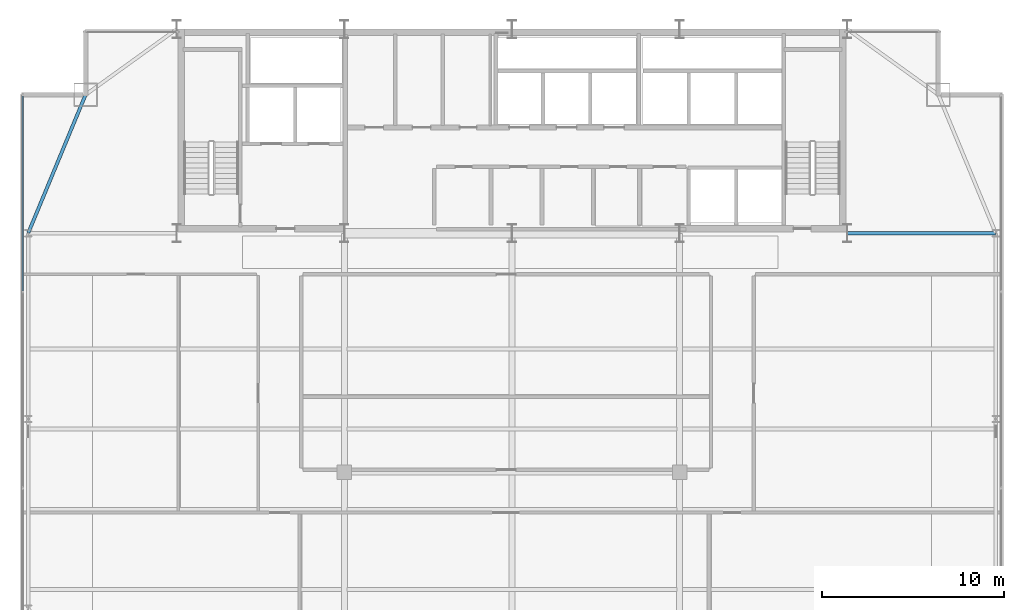
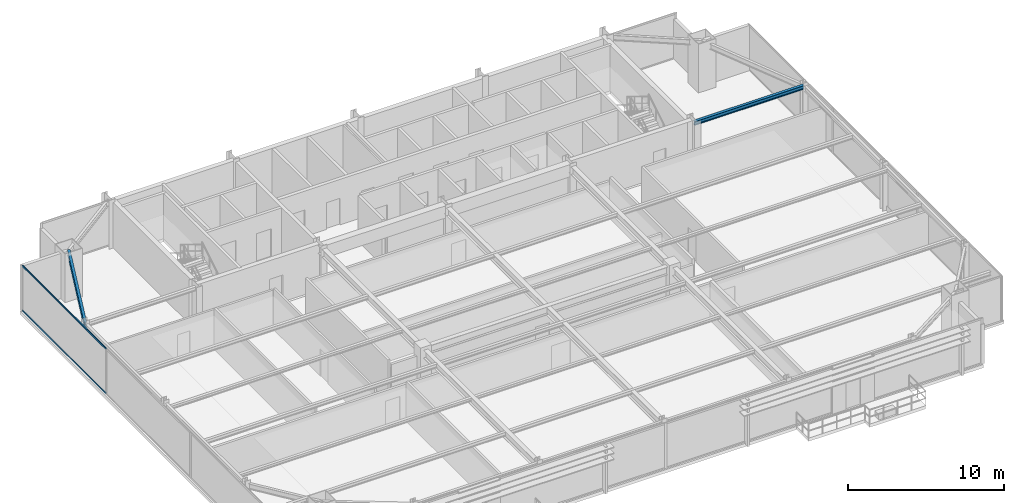
# One storey, part 19 of 31: 2 beams, 2 members, 1 element without a shape of its own.
"""IFC4 building model written with IfcOpenShell, lengths in metres."""

from ifc_helpers import new_model, si_unit, direction, frame, origin, origin_2d, place, context, subcontext, project, spatial, hollow_rectangle, i_section, extrude, source, transform, mapped, material, layer, layer_set, material_profile, profile_set, type_object, type_shapes, element, aggregate, save


model = new_model("IFC4")

# Units and contexts
model_context = context("Model", 3, precision=1e-05, world=origin(), true_north=direction((0.0, 1.0)))
body_context = subcontext(model_context, "Body", "Model", "MODEL_VIEW")
ifc_project = project(units=[si_unit("LENGTHUNIT", "METRE"), si_unit("AREAUNIT", "SQUARE_METRE"), si_unit("VOLUMEUNIT", "CUBIC_METRE"), si_unit("PLANEANGLEUNIT", "RADIAN"), si_unit("MASSUNIT", "GRAM", prefix="KILO")], contexts=[model_context])

# Site, building, storey
site_placement = place(None, origin())
site = spatial("IfcSite", under=ifc_project, at=site_placement, CompositionType="ELEMENT")
building_placement = place(site_placement, origin())
building = spatial("IfcBuilding", under=site, at=building_placement, Name="Varnel Quay Broadcast Tower", CompositionType="ELEMENT")
storey_placement = place(building_placement, frame((0.0, 0.0, 153.39990234375)))
storey = spatial("IfcBuildingStorey", under=building, at=storey_placement, Name="L37", CompositionType="ELEMENT", Elevation=153.39990234375)

# Beams
ifc_material_1 = material(Name="Structural Steel CSA G40.21 350W", Category="steel")
ifc_material_profile_1 = material_profile(ifc_material_1, i_section(OverallWidth=0.180908203125, OverallDepth=0.4169921875, WebThickness=0.010986328125, FlangeThickness=0.018310546875, FilletRadius=0.011962890625, at=origin_2d()), Name="W410X85")
ifc_profile_set_1 = profile_set([ifc_material_profile_1], Name="Structural Steel CSA G40.21 350W")
beam_type_1 = type_object("IfcBeamType", Name="Beam_W410X85", PredefinedType="SPANDREL", material=ifc_profile_set_1)
shared_shape_1 = source(origin(), body_context, "Body", "SweptSolid", [
    extrude(i_section(OverallWidth=0.180908203125, OverallDepth=0.4169921875, WebThickness=0.010986328125, FlangeThickness=0.018310546875, FilletRadius=0.011962890625, at=origin_2d()), origin(), (0.0, 0.0, 1.0), 8.186767578125),
])
type_shapes(beam_type_1, [shared_shape_1])
beam_1_placement = place(storey_placement, frame((7.457763671875, 35.618408203125, 3.341552734375), z_axis=(0.382874132092, 0.923800519038, 0.0), x_axis=(-0.923800519038, 0.382874132092, 0.0)))
element("IfcBeam", 1, at=beam_1_placement, inside=storey, type_object=beam_type_1, Name="L37 West Spandrel TC-W3-MC-NW", PredefinedType="SPANDREL", context=body_context, shape_type="MappedRepresentation", body=[
    mapped(shared_shape_1, transform((0.0, 0.0, 0.0), x_axis=(1.0, 0.0, 0.0), y_axis=(0.0, 1.0, 0.0), z_axis=(0.0, 0.0, 1.0), scale=1.0)),
])
ifc_material_profile_2 = material_profile(ifc_material_1, i_section(OverallWidth=0.202880859375, OverallDepth=0.302978515625, WebThickness=0.007568359375, FlangeThickness=0.01318359375, FilletRadius=0.011962890625, at=origin_2d()), Name="W310X60")
ifc_profile_set_2 = profile_set([ifc_material_profile_2], Name="Structural Steel CSA G40.21 350W")
beam_type_2 = type_object("IfcBeamType", Name="Beam_W310X60", PredefinedType="JOIST", material=ifc_profile_set_2)
shared_shape_2 = source(origin(), body_context, "Body", "SweptSolid", [
    extrude(i_section(OverallWidth=0.202880859375, OverallDepth=0.302978515625, WebThickness=0.007568359375, FlangeThickness=0.01318359375, FilletRadius=0.011962890625, at=origin_2d()), origin(), (0.0, 0.0, 1.0), 8.110107421875),
])
type_shapes(beam_type_2, [shared_shape_2])
beam_2_placement = place(storey_placement, frame((52.419921875, 35.60009765625, 3.398681640625), z_axis=(1.0, 0.0, 0.0), x_axis=(0.0, 1.0, 0.0)))
element("IfcBeam", 2, at=beam_2_placement, inside=storey, type_object=beam_type_2, Name="L37 East Core Tie Joist", PredefinedType="JOIST", context=body_context, shape_type="MappedRepresentation", body=[
    mapped(shared_shape_2, transform((0.0, 0.0, 0.0), x_axis=(1.0, 0.0, 0.0), y_axis=(0.0, 1.0, 0.0), z_axis=(0.0, 0.0, 1.0), scale=1.0)),
])

# Curtain wall, members
ifc_material_2 = material(Name="Anodised Bronze Aluminium 6063-T6", Category="aluminium")
ifc_layer = layer(ifc_material_2, 0.18994140625, Name="Anodised Bronze Aluminium 6063-T6")
ifc_layer_set = layer_set([ifc_layer], Name="Anodised Bronze Aluminium 6063-T6")
curtain_wall_type = type_object("IfcCurtainWallType", Name="CW_UpperTower", PredefinedType="NOTDEFINED", material=ifc_layer_set)
curtain_wall_placement = place(storey_placement, origin())
curtain_wall = element("IfcCurtainWall", 3, at=curtain_wall_placement, inside=storey, type_object=curtain_wall_type, Name="L37 West Unitised Curtain Wall", PredefinedType="NOTDEFINED")
ifc_material_profile_3 = material_profile(ifc_material_2, hollow_rectangle(XDim=0.06005859375, YDim=0.125, WallThickness=0.0029296875, at=origin_2d()), Name="ALU60X125X3")
ifc_profile_set_3 = profile_set([ifc_material_profile_3], Name="Anodised Bronze Aluminium 6063-T6")
member_type = type_object("IfcMemberType", Name="Tran_CWS-03", PredefinedType="USERDEFINED", material=ifc_profile_set_3)
shared_shape_3 = source(origin(), body_context, "Body", "SweptSolid", [
    extrude(hollow_rectangle(XDim=0.06005859375, YDim=0.125, WallThickness=0.0029296875, at=origin_2d()), origin(), (0.0, 0.0, 1.0), 10.702392578125),
])
type_shapes(member_type, [shared_shape_3])
member_1_placement = place(storey_placement, frame((7.14990234375, 32.4326171875, 0.030029296875), z_axis=(0.0, 1.0, 0.0), x_axis=(-1.0, 0.0, 0.0)))
member_1 = element("IfcMember", 4, at=member_1_placement, type_object=member_type, Name="CWS-03 transom 3.1", ObjectType="TRANSOM", PredefinedType="USERDEFINED", context=body_context, shape_type="MappedRepresentation", body=[
    mapped(shared_shape_3, transform((0.0, 0.0, 0.0), x_axis=(1.0, 0.0, 0.0), y_axis=(0.0, 1.0, 0.0), z_axis=(0.0, 0.0, 1.0), scale=1.0)),
])
member_2_placement = place(storey_placement, frame((7.14990234375, 32.4326171875, 3.52001953125), z_axis=(0.0, 1.0, 0.0), x_axis=(-1.0, 0.0, 0.0)))
member_2 = element("IfcMember", 5, at=member_2_placement, type_object=member_type, Name="CWS-03 transom 3.2", ObjectType="TRANSOM", PredefinedType="USERDEFINED", context=body_context, shape_type="MappedRepresentation", body=[
    mapped(shared_shape_3, transform((0.0, 0.0, 0.0), x_axis=(1.0, 0.0, 0.0), y_axis=(0.0, 1.0, 0.0), z_axis=(0.0, 0.0, 1.0), scale=1.0)),
])
aggregate(curtain_wall, [member_1, member_2])

save(model, "model.ifc")
